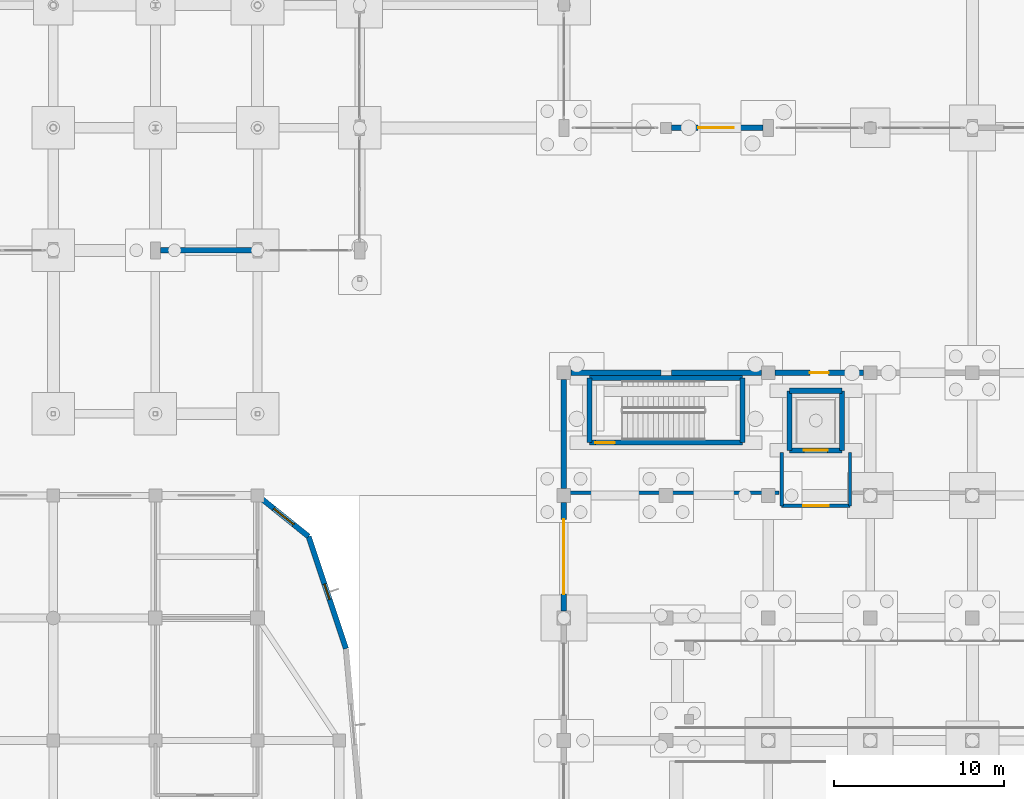
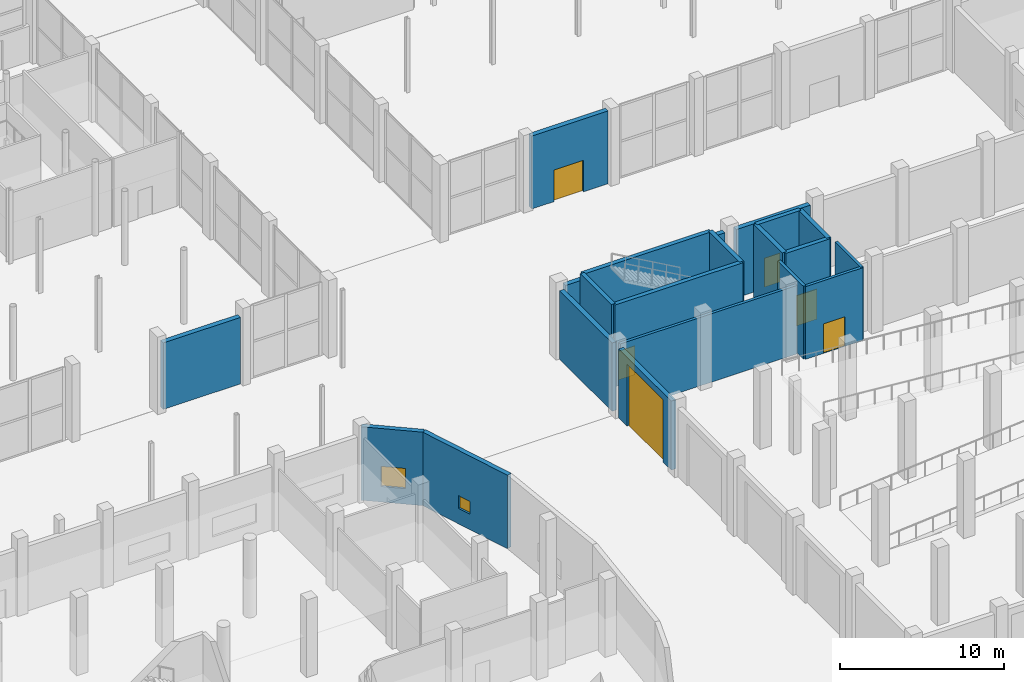
# One storey, part 79 of 103: 21 walls, 6 doors, 2 windows, 8 openings.
"""IFC4 building model written with IfcOpenShell, lengths in metres."""

from ifc_helpers import new_model, si_unit, direction, frame, frame_2d, origin, place, context, subcontext, project, spatial, rectangle, extrude, material, layer, layer_set, type_object, element, fill, save


model = new_model("IFC4")

# Units and contexts
model_context = context("Model", 3, precision=1e-05, world=origin(), true_north=direction((0.0, 1.0)))
body_context = subcontext(model_context, "Body", "Model", "MODEL_VIEW")
ifc_project = project(units=[si_unit("LENGTHUNIT", "METRE"), si_unit("AREAUNIT", "SQUARE_METRE"), si_unit("VOLUMEUNIT", "CUBIC_METRE"), si_unit("PLANEANGLEUNIT", "RADIAN"), si_unit("MASSUNIT", "GRAM", prefix="KILO")], contexts=[model_context])

# Site, building, storey
site_placement = place(None, origin())
site = spatial("IfcSite", under=ifc_project, at=site_placement, CompositionType="ELEMENT")
building_placement = place(site_placement, origin())
building = spatial("IfcBuilding", under=site, at=building_placement, Name="Dunvalen Ferry Terminal", CompositionType="ELEMENT")
storey_placement = place(building_placement, origin())
storey = spatial("IfcBuildingStorey", under=building, at=storey_placement, Name="L00", CompositionType="ELEMENT", Elevation=0.0)

# Wall, opening, window
ifc_material_1 = material(Name="Precast concrete C40/50", Category="concrete")
ifc_layer_1 = layer(ifc_material_1, 0.320068359375, Name="Precast concrete C40/50")
ifc_layer_set_1 = layer_set([ifc_layer_1], Name="Precast concrete C40/50")
wall_type_1 = type_object("IfcWallType", Name="ENV-WL-SPN320", PredefinedType="SOLIDWALL", material=ifc_layer_set_1)
wall_1_placement = place(storey_placement, frame((95.1962890625, 27.0, 0.0), z_axis=(0.0, 0.0, 1.0), x_axis=(-0.31624885857, 0.948676266939, 0.0)))
wall_1 = element("IfcWall", 1, at=wall_1_placement, inside=storey, type_object=wall_type_1, Name="L00 Streamline Moderne Facade Wall 06.01", PredefinedType="SOLIDWALL", context=body_context, shape_type="SweptSolid", body=[
    extrude(rectangle(XDim=6.94482421875, YDim=0.320068359375, at=frame_2d((3.472412109375, 0.0))), origin(), (0.0, 0.0, 1.0), 5.4599609375),
])
opening_1_placement = place(wall_1_placement, frame((3.048095703125, 0.0, 1.14990234375)))
opening_1 = element("IfcOpeningElement", 2, at=opening_1_placement, cuts=wall_1, Name="Opening W-43", PredefinedType="OPENING", context=body_context, shape_type="SweptSolid", body=[
    extrude(rectangle(XDim=0.949951171875, YDim=0.949951171875, at=frame_2d((0.47509765625, 0.47509765625))), frame((0.0, 0.169921875, 0.0), z_axis=(0.0, -1.0, 0.0), x_axis=(1.0, 0.0, 0.0)), (0.0, 0.0, 1.0), 0.340087890625),
])
ifc_material_2 = material(Name="Thermally broken aluminium and double glazing", Category="aluminium")
window_type_1 = type_object("IfcWindowType", Name="ENV-WIN-PRT-43", PartitioningType="SINGLE_PANEL", PredefinedType="WINDOW", material=ifc_material_2)
window_1_placement = place(opening_1_placement, origin())
window_1 = element("IfcWindow", 3, at=window_1_placement, inside=storey, type_object=window_type_1, Name="L00 Streamline Ribbon Window 06.01", OverallHeight=0.949951171875, OverallWidth=0.949951171875, PartitioningType="SINGLE_PANEL", PredefinedType="WINDOW", context=body_context, shape_type="SweptSolid", body=[
    extrude(rectangle(XDim=0.949951171875, YDim=0.949951171875, at=frame_2d((0.47509765625, 0.47509765625))), frame((0.0, 0.030029296875, 0.0), z_axis=(0.0, -1.0, 0.0), x_axis=(1.0, 0.0, 0.0)), (0.0, 0.0, 1.0), 0.06005859375),
])
fill(opening_1, window_1)

wall_2_placement = place(storey_placement, frame((93.0, 33.58837890625, 0.0), z_axis=(0.0, 0.0, 1.0), x_axis=(-0.779393889884, 0.626534248395, 0.0)))
wall_2 = element("IfcWall", 4, at=wall_2_placement, inside=storey, type_object=wall_type_1, Name="L00 Streamline Moderne Facade Wall 07.01", PredefinedType="SOLIDWALL", context=body_context, shape_type="SweptSolid", body=[
    extrude(rectangle(XDim=3.84912109375, YDim=0.320068359375, at=frame_2d((1.924560546875, 0.0))), origin(), (0.0, 0.0, 1.0), 5.4599609375),
])
opening_2_placement = place(wall_2_placement, frame((1.124267578125, 0.0, 1.14990234375)))
opening_2 = element("IfcOpeningElement", 5, at=opening_2_placement, cuts=wall_2, Name="Opening W-44", PredefinedType="OPENING", context=body_context, shape_type="SweptSolid", body=[
    extrude(rectangle(XDim=1.5, YDim=1.5, at=frame_2d((0.75, 0.75))), frame((0.0, 0.169921875, 0.0), z_axis=(0.0, -1.0, 0.0), x_axis=(1.0, 0.0, 0.0)), (0.0, 0.0, 1.0), 0.340087890625),
])
window_type_2 = type_object("IfcWindowType", Name="ENV-WIN-PRT-44", PartitioningType="SINGLE_PANEL", PredefinedType="WINDOW", material=ifc_material_2)
window_2_placement = place(opening_2_placement, origin())
window_2 = element("IfcWindow", 6, at=window_2_placement, inside=storey, type_object=window_type_2, Name="L00 Streamline Ribbon Window 07.01", OverallHeight=1.5, OverallWidth=1.5, PartitioningType="SINGLE_PANEL", PredefinedType="WINDOW", context=body_context, shape_type="SweptSolid", body=[
    extrude(rectangle(XDim=1.5, YDim=1.5, at=frame_2d((0.75, 0.75))), frame((0.0, 0.030029296875, 0.0), z_axis=(0.0, -1.0, 0.0), x_axis=(1.0, 0.0, 0.0)), (0.0, 0.0, 1.0), 0.06005859375),
])
fill(opening_2, window_2)

# Wall
ifc_layer_2 = layer(ifc_material_1, 0.340087890625, Name="Precast concrete C40/50")
ifc_layer_set_2 = layer_set([ifc_layer_2], Name="Precast concrete C40/50")
wall_type_2 = type_object("IfcWallType", Name="ENV-WL-SPN340", PredefinedType="SOLIDWALL", material=ifc_layer_set_2)
wall_3_placement = place(storey_placement, frame((84.302001953125, 50.39990234375, 0.0), z_axis=(0.0, 0.0, 1.0), x_axis=(1.0, 0.0, 0.0)))
element("IfcWall", 7, at=wall_3_placement, inside=storey, type_object=wall_type_2, Name="L00 Departure Hall South Entrance Portal Wall 09", PredefinedType="SOLIDWALL", context=body_context, shape_type="SweptSolid", body=[
    extrude(rectangle(XDim=5.4208984375, YDim=0.340087890625, at=frame_2d((2.71044921875, 0.0))), origin(), (0.0, 0.0, 1.0), 4.93701171875),
])

# Wall, opening, door
wall_4_placement = place(storey_placement, frame((114.326904296875, 57.60009765625, 0.0), z_axis=(0.0, 0.0, 1.0), x_axis=(1.0, 0.0, 0.0)))
wall_4 = element("IfcWall", 8, at=wall_4_placement, inside=storey, type_object=wall_type_2, Name="L00 Arrivals Hall South Exit Portal Wall 02", PredefinedType="SOLIDWALL", context=body_context, shape_type="SweptSolid", body=[
    extrude(rectangle(XDim=5.37109375, YDim=0.340087890625, at=frame_2d((2.685546875, 0.0))), origin(), (0.0, 0.0, 1.0), 5.409912109375),
])
opening_3_placement = place(wall_4_placement, frame((1.559326171875, 0.0, 0.0)))
opening_3 = element("IfcOpeningElement", 9, at=opening_3_placement, cuts=wall_4, Name="Opening ED-02", PredefinedType="OPENING", context=body_context, shape_type="SweptSolid", body=[
    extrude(rectangle(XDim=2.10009765625, YDim=2.35009765625, at=frame_2d((1.050048828125, 1.175048828125))), frame((0.0, 0.18017578125, 0.0), z_axis=(0.0, -1.0, 0.0), x_axis=(1.0, 0.0, 0.0)), (0.0, 0.0, 1.0), 0.360107421875),
])
ifc_material_3 = material(Name="Marine grade powder-coated aluminium and laminated glass", Category="aluminium")
door_type_1 = type_object("IfcDoorType", Name="ENV-DR-EXT-2100", OperationType="DOUBLE_SWING_LEFT", PredefinedType="DOOR", material=ifc_material_3)
door_1_placement = place(opening_3_placement, frame((2.10009765625, 0.0, 0.0), z_axis=(0.0, 0.0, 1.0), x_axis=(-1.0, 0.0, 0.0)))
door_1 = element("IfcDoor", 10, at=door_1_placement, inside=storey, type_object=door_type_1, Name="L00 Arrivals Hall Main Exit Door 02", OperationType="DOUBLE_SWING_LEFT", OverallHeight=2.35009765625, OverallWidth=2.10009765625, PredefinedType="DOOR", context=body_context, shape_type="SweptSolid", body=[
    extrude(rectangle(XDim=2.10009765625, YDim=2.35009765625, at=frame_2d((1.050048828125, 1.175048828125))), frame((0.0, 0.02490234375, 0.0), z_axis=(0.0, -1.0, 0.0), x_axis=(1.0, 0.0, 0.0)), (0.0, 0.0, 1.0), 0.050048828125),
])
fill(opening_3, door_1)

ifc_material_4 = material(Name="Concrete C40/50", Category="concrete")
ifc_layer_3 = layer(ifc_material_4, 0.330078125, Name="Concrete C40/50")
ifc_layer_set_3 = layer_set([ifc_layer_3], Name="Concrete C40/50")
wall_type_3 = type_object("IfcWallType", Name="ENV-WL-VEH330", PredefinedType="SOLIDWALL", material=ifc_layer_set_3)
wall_5_placement = place(storey_placement, frame((108.0, 29.201904296875, 0.0), z_axis=(0.0, 0.0, 1.0), x_axis=(0.0, 1.0, 0.0)))
wall_5 = element("IfcWall", 11, at=wall_5_placement, inside=storey, type_object=wall_type_3, Name="L00 Vehicle Marshalling W Portal Wall 05", PredefinedType="SOLIDWALL", context=body_context, shape_type="SweptSolid", body=[
    extrude(rectangle(XDim=6.39599609375, YDim=0.330078125, at=frame_2d((3.197998046875, 0.0))), origin(), (0.0, 0.0, 1.0), 5.1298828125),
])
opening_4_placement = place(wall_5_placement, frame((0.998046875, 0.0, 0.0)))
opening_4 = element("IfcOpeningElement", 12, at=opening_4_placement, cuts=wall_5, Name="Opening VG-02", PredefinedType="OPENING", context=body_context, shape_type="SweptSolid", body=[
    extrude(rectangle(XDim=4.39990234375, YDim=4.6201171875, at=frame_2d((2.199951171875, 2.31005859375))), frame((0.0, 0.175048828125, 0.0), z_axis=(0.0, -1.0, 0.0), x_axis=(1.0, 0.0, 0.0)), (0.0, 0.0, 1.0), 0.35009765625),
])
door_type_2 = type_object("IfcDoorType", Name="ENV-GT-VEH-4500", OperationType="ROLLINGUP", PredefinedType="GATE", material=ifc_material_3)
door_2_placement = place(opening_4_placement, origin())
door_2 = element("IfcDoor", 13, at=door_2_placement, inside=storey, type_object=door_type_2, Name="L00 W Ro-Ro Marshalling Portal Gate 05", OperationType="ROLLINGUP", OverallHeight=4.6201171875, OverallWidth=4.39990234375, PredefinedType="GATE", context=body_context, shape_type="SweptSolid", body=[
    extrude(rectangle(XDim=4.39990234375, YDim=4.6201171875, at=frame_2d((2.199951171875, 2.31005859375))), frame((0.0, 0.02490234375, 0.0), z_axis=(0.0, -1.0, 0.0), x_axis=(1.0, 0.0, 0.0)), (0.0, 0.0, 1.0), 0.050048828125),
])
fill(opening_4, door_2)

# Walls
wall_6_placement = place(storey_placement, frame((108.0, 36.402099609375, 0.0), z_axis=(0.0, 0.0, 1.0), x_axis=(0.0, 1.0, 0.0)))
element("IfcWall", 14, at=wall_6_placement, inside=storey, type_object=wall_type_3, Name="L00 Vehicle Marshalling W Portal Wall 06", PredefinedType="SOLIDWALL", context=body_context, shape_type="SweptSolid", body=[
    extrude(rectangle(XDim=6.39599609375, YDim=0.330078125, at=frame_2d((3.197998046875, 0.0))), origin(), (0.0, 0.0, 1.0), 5.080078125),
])
for number, where, z_axis, x_axis, name in (
    (15, (108.402099609375, 43.199951171875, 0.0), (0.0, 0.0, 1.0), (1.0, 0.0, 0.0), "L00 SPS Inspection North Wall 01"),
    (16, (114.31005859375, 43.199951171875, 0.0), (0.0, 0.0, 1.0), (1.0, 0.0, 0.0), "L00 SPS Inspection North Wall 02"),
):
    element("IfcWall", number, at=place(storey_placement, frame(where, z_axis=z_axis, x_axis=x_axis)), inside=storey, type_object=wall_type_3, Name=name, PredefinedType="SOLIDWALL", context=body_context, shape_type="SweptSolid", body=[
        extrude(rectangle(XDim=5.287841796875, YDim=0.330078125, at=frame_2d((2.64404296875, 0.0))), origin(), (0.0, 0.0, 1.0), 5.1298828125),
    ])

# Wall, opening, door
wall_7_placement = place(storey_placement, frame((120.402099609375, 43.199951171875, 0.0), z_axis=(0.0, 0.0, 1.0), x_axis=(1.0, 0.0, 0.0)))
wall_7 = element("IfcWall", 17, at=wall_7_placement, inside=storey, type_object=wall_type_3, Name="L00 SPS Inspection North Wall 03", PredefinedType="SOLIDWALL", context=body_context, shape_type="SweptSolid", body=[
    extrude(rectangle(XDim=5.19580078125, YDim=0.330078125, at=frame_2d((2.597900390625, 0.0))), origin(), (0.0, 0.0, 1.0), 5.080078125),
])
opening_5_placement = place(wall_7_placement, frame((2.048095703125, 0.0, 0.0)))
opening_5 = element("IfcOpeningElement", 18, at=opening_5_placement, cuts=wall_7, Name="Opening ED-06", PredefinedType="OPENING", context=body_context, shape_type="SweptSolid", body=[
    extrude(rectangle(XDim=1.10009765625, YDim=2.14990234375, at=frame_2d((0.550048828125, 1.074951171875))), frame((0.0, 0.175048828125, 0.0), z_axis=(0.0, -1.0, 0.0), x_axis=(1.0, 0.0, 0.0)), (0.0, 0.0, 1.0), 0.35009765625),
])
door_type_3 = type_object("IfcDoorType", Name="ENV-DR-EXT-1100", OperationType="NOTDEFINED", PredefinedType="DOOR", material=ifc_material_3)
door_3_placement = place(opening_5_placement, origin())
door_3 = element("IfcDoor", 19, at=door_3_placement, inside=storey, type_object=door_type_3, Name="L00 SPS Inspection Court Exit Door", OperationType="SINGLE_SWING_RIGHT", OverallHeight=2.14990234375, OverallWidth=1.10009765625, PredefinedType="DOOR", context=body_context, shape_type="SweptSolid", body=[
    extrude(rectangle(XDim=1.10009765625, YDim=2.14990234375, at=frame_2d((0.550048828125, 1.074951171875))), frame((0.0, 0.02490234375, 0.0), z_axis=(0.0, -1.0, 0.0), x_axis=(1.0, 0.0, 0.0)), (0.0, 0.0, 1.0), 0.050048828125),
])
fill(opening_5, door_3)

# Wall
ifc_material_5 = material(Name="Autoclaved aerated concrete blockwork", Category="masonry")
ifc_layer_4 = layer(ifc_material_5, 0.199951171875, Name="Autoclaved aerated concrete blockwork")
ifc_layer_set_4 = layer_set([ifc_layer_4], Name="Autoclaved aerated concrete blockwork")
wall_type_4 = type_object("IfcWallType", Name="INT-WL-CMP200", PredefinedType="PARTITIONING", material=ifc_layer_set_4)
wall_8_placement = place(storey_placement, frame((120.7900390625, 38.510009765625, 0.0), z_axis=(0.0, 0.0, 1.0), x_axis=(0.0, -1.0, 0.0)))
element("IfcWall", 20, at=wall_8_placement, inside=storey, type_object=wall_type_4, Name="L00 L00 Lift Lobby LG-02 Partition 1", PredefinedType="PARTITIONING", context=body_context, shape_type="SweptSolid", body=[
    extrude(rectangle(XDim=3.1201171875, YDim=0.199951171875, at=frame_2d((1.56005859375, 0.0))), origin(), (0.0, 0.0, 1.0), 5.39990234375),
])

# Wall, opening, door
wall_9_placement = place(storey_placement, frame((120.7900390625, 35.389892578125, 0.0), z_axis=(0.0, 0.0, 1.0), x_axis=(1.0, 0.0, 0.0)))
wall_9 = element("IfcWall", 21, at=wall_9_placement, inside=storey, type_object=wall_type_4, Name="L00 L00 Lift Lobby LG-02 Partition 2", PredefinedType="PARTITIONING", context=body_context, shape_type="SweptSolid", body=[
    extrude(rectangle(XDim=4.02001953125, YDim=0.199951171875, at=frame_2d((2.010009765625, 0.0))), origin(), (0.0, 0.0, 1.0), 5.39990234375),
])
opening_6_placement = place(wall_9_placement, frame((1.260009765625, 0.0, 0.0)))
opening_6 = element("IfcOpeningElement", 22, at=opening_6_placement, cuts=wall_9, Name="Opening ID-04", PredefinedType="OPENING", context=body_context, shape_type="SweptSolid", body=[
    extrude(rectangle(XDim=1.5, YDim=2.199951171875, at=frame_2d((0.75, 1.10009765625))), frame((0.0, 0.10986328125, 0.0), z_axis=(0.0, -1.0, 0.0), x_axis=(1.0, 0.0, 0.0)), (0.0, 0.0, 1.0), 0.219970703125),
])
ifc_material_6 = material(Name="Anodised aluminium glazed fire door", Category="aluminium")
door_type_4 = type_object("IfcDoorType", Name="INT-DR-LOB-1500", OperationType="DOUBLE_SWING_LEFT", PredefinedType="DOOR", material=ifc_material_6)
door_4_placement = place(opening_6_placement, origin())
door_4 = element("IfcDoor", 23, at=door_4_placement, inside=storey, type_object=door_type_4, Name="L00 Lift Lobby LG-02 Door", OperationType="DOUBLE_SWING_LEFT", OverallHeight=2.199951171875, OverallWidth=1.5, PredefinedType="DOOR", context=body_context, shape_type="SweptSolid", body=[
    extrude(rectangle(XDim=1.5, YDim=2.199951171875, at=frame_2d((0.75, 1.10009765625))), frame((0.0, 0.02490234375, 0.0), z_axis=(0.0, -1.0, 0.0), x_axis=(1.0, 0.0, 0.0)), (0.0, 0.0, 1.0), 0.050048828125),
])
fill(opening_6, door_4)

# Walls
wall_10_placement = place(storey_placement, frame((124.81005859375, 35.389892578125, 0.0), z_axis=(0.0, 0.0, 1.0), x_axis=(0.0, 1.0, 0.0)))
element("IfcWall", 24, at=wall_10_placement, inside=storey, type_object=wall_type_4, Name="L00 L00 Lift Lobby LG-02 Partition 3", PredefinedType="PARTITIONING", context=body_context, shape_type="SweptSolid", body=[
    extrude(rectangle(XDim=3.1201171875, YDim=0.199951171875, at=frame_2d((1.56005859375, 0.0))), origin(), (0.0, 0.0, 1.0), 5.39990234375),
])
wall_11_placement = place(storey_placement, frame((108.219970703125, 36.159912109375, 0.0), z_axis=(0.0, 0.0, 1.0), x_axis=(1.0, 0.0, 0.0)))
element("IfcWall", 25, at=wall_11_placement, inside=storey, type_object=wall_type_4, Name="L00 L00 Freight Customs and SPS Inspection Bays Partition 11", PredefinedType="PARTITIONING", context=body_context, shape_type="SweptSolid", body=[
    extrude(rectangle(XDim=12.409912109375, YDim=0.199951171875, at=frame_2d((6.205078125, 0.0))), origin(), (0.0, 0.0, 1.0), 5.080078125),
])
ifc_layer_5 = layer(ifc_material_4, 0.300048828125, Name="Concrete C40/50")
ifc_layer_set_5 = layer_set([ifc_layer_5], Name="Concrete C40/50")
wall_type_5 = type_object("IfcWallType", Name="STR-WL-SHR300", PredefinedType="SHEAR", material=ifc_layer_set_5)
for number, where, z_axis, x_axis, name in (
    (26, (109.5, 39.10009765625, -0.320068359375), (0.0, 0.0, 1.0), (0.0, 1.0, 0.0), "L00 ST4 Core West Shear Wall"),
    (27, (118.5, 39.10009765625, -0.320068359375), (0.0, 0.0, 1.0), (0.0, 1.0, 0.0), "L00 ST4 Core East Shear Wall"),
):
    element("IfcWall", number, at=place(storey_placement, frame(where, z_axis=z_axis, x_axis=x_axis)), inside=storey, type_object=wall_type_5, Name=name, PredefinedType="SHEAR", context=body_context, shape_type="SweptSolid", body=[
        extrude(rectangle(XDim=3.7998046875, YDim=0.300048828125, at=frame_2d((1.89990234375, 0.0))), origin(), (0.0, 0.0, 1.0), 6.080078125),
    ])
wall_12_placement = place(storey_placement, frame((109.5, 42.89990234375, -0.320068359375), z_axis=(0.0, 0.0, 1.0), x_axis=(1.0, 0.0, 0.0)))
element("IfcWall", 28, at=wall_12_placement, inside=storey, type_object=wall_type_5, Name="L00 ST4 Core North Shear Wall", PredefinedType="SHEAR", context=body_context, shape_type="SweptSolid", body=[
    extrude(rectangle(XDim=9.0, YDim=0.300048828125, at=frame_2d((4.5, 0.0))), origin(), (0.0, 0.0, 1.0), 6.080078125),
])

# Wall, opening, door
wall_13_placement = place(storey_placement, frame((109.5, 39.10009765625, -0.320068359375), z_axis=(0.0, 0.0, 1.0), x_axis=(1.0, 0.0, 0.0)))
wall_13 = element("IfcWall", 29, at=wall_13_placement, inside=storey, type_object=wall_type_5, Name="L00 ST4 Core South Shear Wall", PredefinedType="SHEAR", context=body_context, shape_type="SweptSolid", body=[
    extrude(rectangle(XDim=9.0, YDim=0.300048828125, at=frame_2d((4.5, 0.0))), origin(), (0.0, 0.0, 1.0), 6.080078125),
])
opening_7_placement = place(wall_13_placement, frame((0.35009765625, 0.0, 0.320068359375)))
opening_7 = element("IfcOpeningElement", 30, at=opening_7_placement, cuts=wall_13, Name="Opening ID-02", PredefinedType="OPENING", context=body_context, shape_type="SweptSolid", body=[
    extrude(rectangle(XDim=1.14990234375, YDim=2.14990234375, at=frame_2d((0.574951171875, 1.074951171875))), frame((0.0, 0.16015625, 0.0), z_axis=(0.0, -1.0, 0.0), x_axis=(1.0, 0.0, 0.0)), (0.0, 0.0, 1.0), 0.320068359375),
])
ifc_material_7 = material(Name="Powder-coated steel fire door", Category="steel")
door_type_5 = type_object("IfcDoorType", Name="INT-DR-STR-1150", OperationType="NOTDEFINED", PredefinedType="DOOR", material=ifc_material_7)
door_5_placement = place(opening_7_placement, frame((1.14990234375, 0.0, 0.0), z_axis=(0.0, 0.0, 1.0), x_axis=(-1.0, 0.0, 0.0)))
door_5 = element("IfcDoor", 31, at=door_5_placement, inside=storey, type_object=door_type_5, Name="L00 ST4 Escape Stair Fire Door", OperationType="SINGLE_SWING_LEFT", OverallHeight=2.14990234375, OverallWidth=1.14990234375, PredefinedType="DOOR", context=body_context, shape_type="SweptSolid", body=[
    extrude(rectangle(XDim=1.14990234375, YDim=2.14990234375, at=frame_2d((0.574951171875, 1.074951171875))), frame((0.0, 0.02490234375, 0.0), z_axis=(0.0, -1.0, 0.0), x_axis=(1.0, 0.0, 0.0)), (0.0, 0.0, 1.0), 0.050048828125),
])
fill(opening_7, door_5)

wall_14_placement = place(storey_placement, frame((121.25, 38.64990234375, -0.320068359375), z_axis=(0.0, 0.0, 1.0), x_axis=(1.0, 0.0, 0.0)))
wall_14 = element("IfcWall", 32, at=wall_14_placement, inside=storey, type_object=wall_type_5, Name="L00 LG-02 Lift Shaft S Wall", PredefinedType="SHEAR", context=body_context, shape_type="SweptSolid", body=[
    extrude(rectangle(XDim=3.10009765625, YDim=0.300048828125, at=frame_2d((1.550048828125, 0.0))), origin(), (0.0, 0.0, 1.0), 6.080078125),
])
opening_8_placement = place(wall_14_placement, frame((0.85009765625, 0.0, 0.320068359375)))
opening_8 = element("IfcOpeningElement", 33, at=opening_8_placement, cuts=wall_14, Name="Opening LD-03", PredefinedType="OPENING", context=body_context, shape_type="SweptSolid", body=[
    extrude(rectangle(XDim=1.39990234375, YDim=2.25, at=frame_2d((0.699951171875, 1.125))), frame((0.0, 0.16015625, 0.0), z_axis=(0.0, -1.0, 0.0), x_axis=(1.0, 0.0, 0.0)), (0.0, 0.0, 1.0), 0.320068359375),
])
ifc_material_8 = material(Name="Brushed 316 stainless steel", Category="steel")
door_type_6 = type_object("IfcDoorType", Name="INT-DR-LFT-1400", OperationType="SLIDING_TO_LEFT", PredefinedType="DOOR", material=ifc_material_8)
door_6_placement = place(opening_8_placement, origin())
door_6 = element("IfcDoor", 34, at=door_6_placement, inside=storey, type_object=door_type_6, Name="L00 LG-02 Lift Sliding Landing Door", OperationType="SLIDING_TO_LEFT", OverallHeight=2.25, OverallWidth=1.39990234375, PredefinedType="DOOR", context=body_context, shape_type="SweptSolid", body=[
    extrude(rectangle(XDim=1.39990234375, YDim=2.25, at=frame_2d((0.699951171875, 1.125))), frame((0.0, 0.02490234375, 0.0), z_axis=(0.0, -1.0, 0.0), x_axis=(1.0, 0.0, 0.0)), (0.0, 0.0, 1.0), 0.050048828125),
])
fill(opening_8, door_6)

# Walls
wall_15_placement = place(storey_placement, frame((121.25, 42.14990234375, -0.320068359375), z_axis=(0.0, 0.0, 1.0), x_axis=(1.0, 0.0, 0.0)))
element("IfcWall", 35, at=wall_15_placement, inside=storey, type_object=wall_type_5, Name="L00 LG-02 Lift Shaft N Wall", PredefinedType="SHEAR", context=body_context, shape_type="SweptSolid", body=[
    extrude(rectangle(XDim=3.10009765625, YDim=0.300048828125, at=frame_2d((1.550048828125, 0.0))), origin(), (0.0, 0.0, 1.0), 6.080078125),
])
for number, where, z_axis, x_axis, name in (
    (36, (121.25, 38.64990234375, -0.320068359375), (0.0, 0.0, 1.0), (0.0, 1.0, 0.0), "L00 LG-02 Lift Shaft W Wall"),
    (37, (124.35009765625, 38.64990234375, -0.320068359375), (0.0, 0.0, 1.0), (0.0, 1.0, 0.0), "L00 LG-02 Lift Shaft E Wall"),
):
    element("IfcWall", number, at=place(storey_placement, frame(where, z_axis=z_axis, x_axis=x_axis)), inside=storey, type_object=wall_type_5, Name=name, PredefinedType="SHEAR", context=body_context, shape_type="SweptSolid", body=[
        extrude(rectangle(XDim=3.5, YDim=0.300048828125, at=frame_2d((1.75, 0.0))), origin(), (0.0, 0.0, 1.0), 6.080078125),
    ])

save(model, "model.ifc")
